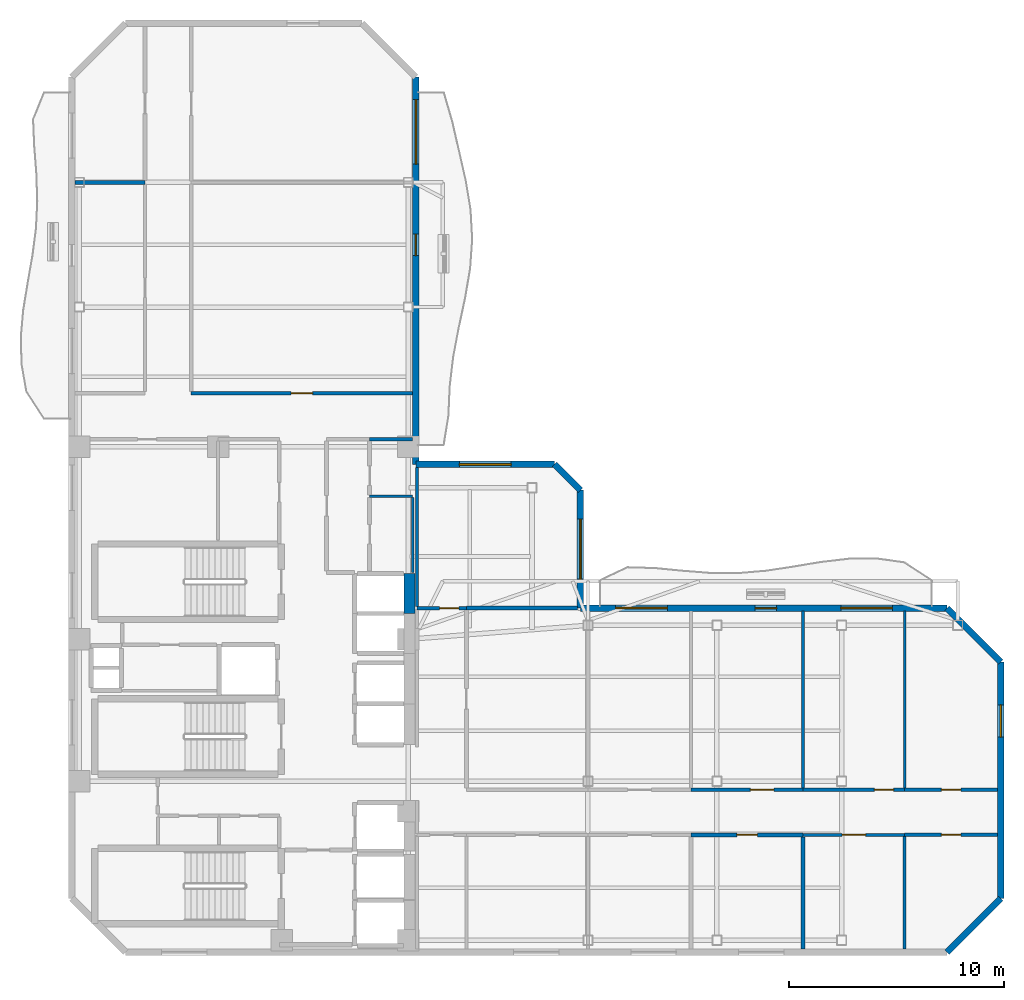
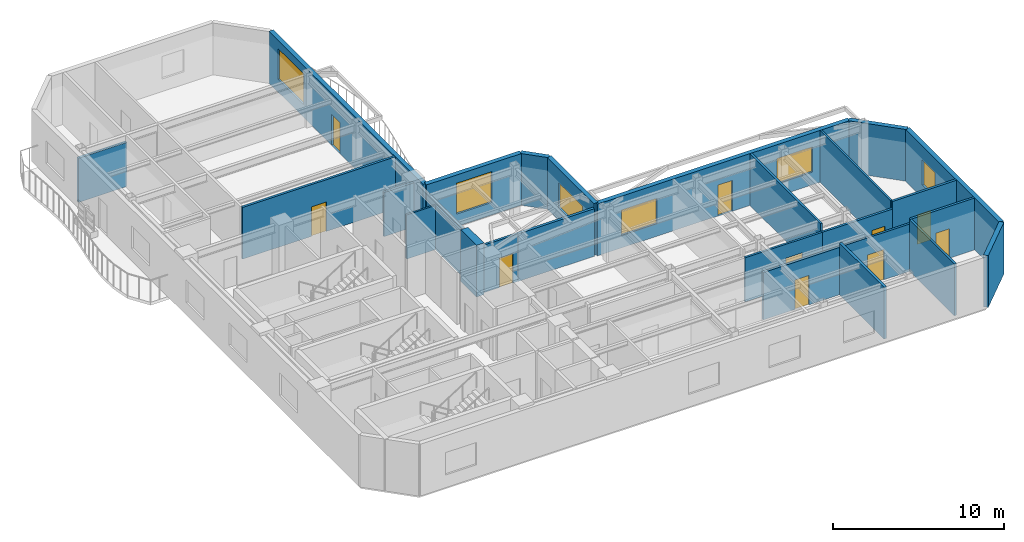
# One storey, part 5 of 9: 27 walls, 10 doors, 6 windows, 16 openings.
"""IFC4 building model written with IfcOpenShell, lengths in metres."""

from ifc_helpers import new_model, si_unit, direction, frame, frame_2d, origin, place, context, subcontext, project, spatial, rectangle, extrude, material, layer, layer_set, type_object, element, fill, save


model = new_model("IFC4")

# Units and contexts
model_context = context("Model", 3, precision=1e-05, world=origin(), true_north=direction((0.0, 1.0)))
body_context = subcontext(model_context, "Body", "Model", "MODEL_VIEW")
ifc_project = project(units=[si_unit("LENGTHUNIT", "METRE"), si_unit("AREAUNIT", "SQUARE_METRE"), si_unit("VOLUMEUNIT", "CUBIC_METRE"), si_unit("PLANEANGLEUNIT", "RADIAN"), si_unit("MASSUNIT", "GRAM", prefix="KILO")], contexts=[model_context])

# Site, building, storey
site_placement = place(None, origin())
site = spatial("IfcSite", under=ifc_project, at=site_placement, CompositionType="ELEMENT")
building_placement = place(site_placement, origin())
building = spatial("IfcBuilding", under=site, at=building_placement, Name="Mawjaban Terraces University", CompositionType="ELEMENT")
storey_placement = place(building_placement, frame((0.0, 0.0, 210.89990234375)))
storey = spatial("IfcBuildingStorey", under=building, at=storey_placement, Name="L51", CompositionType="ELEMENT", Elevation=210.89990234375)

# Walls
ifc_material_1 = material(Name="Acoustic masonry blockwork", Category="masonry")
ifc_layer_1 = layer(ifc_material_1, 0.179931640625)
ifc_layer_set_1 = layer_set([ifc_layer_1], Name="Acoustic masonry blockwork")
wall_type_1 = type_object("IfcWallType", Name="AcousticStudioWall_180", PredefinedType="PARTITIONING", material=ifc_layer_set_1)
wall_1_placement = place(storey_placement, frame((25.39990234375, 35.800048828125, 0.0), z_axis=(0.0, 0.0, 1.0), x_axis=(-1.0, 0.0, 0.0)))
element("IfcWall", 1, at=wall_1_placement, inside=storey, type_object=wall_type_1, Name="L51 Departmental Office 12 Partition 4", PredefinedType="PARTITIONING", context=body_context, shape_type="SweptSolid", body=[
    extrude(rectangle(XDim=3.2548828125, YDim=0.179931640625, at=frame_2d((1.62744140625, 0.0))), origin(), (0.0, 0.0, 1.0), 3.14599609375),
])
wall_2_placement = place(storey_placement, frame((40.35009765625, 16.0, 0.0), z_axis=(0.0, 0.0, 1.0), x_axis=(1.0, 0.0, 0.0)))
element("IfcWall", 2, at=wall_2_placement, inside=storey, type_object=wall_type_1, Name="L51 Terrace Collaborative Study Room Partition 20", PredefinedType="PARTITIONING", context=body_context, shape_type="SweptSolid", body=[
    extrude(rectangle(XDim=5.15478515625, YDim=0.179931640625, at=frame_2d((2.577392578125, 0.0))), origin(), (0.0, 0.0, 1.0), 3.39013671875),
])

# Wall, opening, door
wall_3_placement = place(storey_placement, frame((50.7900390625, 5.449951171875, 0.0), z_axis=(0.0, 0.0, 1.0), x_axis=(1.0, 0.0, 0.0)))
wall_3 = element("IfcWall", 3, at=wall_3_placement, inside=storey, type_object=wall_type_1, Name="L51 South Shifted Academic Corridor Partition 23", PredefinedType="PARTITIONING", context=body_context, shape_type="SweptSolid", body=[
    extrude(rectangle(XDim=5.219970703125, YDim=0.179931640625, at=frame_2d((2.60986328125, 0.0))), origin(), (0.0, 0.0, 1.0), 3.3720703125),
])
opening_1_placement = place(wall_3_placement, frame((2.135009765625, 0.0, 0.0)))
opening_1 = element("IfcOpeningElement", 4, at=opening_1_placement, cuts=wall_3, Name="Opening ID-095", PredefinedType="OPENING", context=body_context, shape_type="SweptSolid", body=[
    extrude(rectangle(XDim=0.949951171875, YDim=2.10009765625, at=frame_2d((0.47509765625, 1.050048828125))), frame((0.0, 0.099853515625, 0.0), z_axis=(0.0, -1.0, 0.0), x_axis=(1.0, 0.0, 0.0)), (0.0, 0.0, 1.0), 0.199951171875),
])
ifc_material_2 = material(Name="Powder-coated steel frame and solid acoustic timber leaf", Category="steel")
door_type_1 = type_object("IfcDoorType", Name="StudioDoor_950x2100", OperationType="NOTDEFINED", PredefinedType="DOOR", material=ifc_material_2)
door_1_placement = place(opening_1_placement, origin())
door_1 = element("IfcDoor", 5, at=door_1_placement, inside=storey, type_object=door_type_1, Name="L51 Design Studio 6 Door", OperationType="SINGLE_SWING_RIGHT", OverallHeight=2.10009765625, OverallWidth=0.949951171875, PredefinedType="DOOR", context=body_context, shape_type="SweptSolid", body=[
    extrude(rectangle(XDim=0.949951171875, YDim=2.10009765625, at=frame_2d((0.47509765625, 1.050048828125))), frame((0.0, 0.02490234375, 0.0), z_axis=(0.0, -1.0, 0.0), x_axis=(1.0, 0.0, 0.0)), (0.0, 0.0, 1.0), 0.050048828125),
])
fill(opening_1, door_1)

# Walls
wall_4_placement = place(storey_placement, frame((56.010009765625, 0.14501953125, 0.0), z_axis=(0.0, 0.0, 1.0), x_axis=(0.0, 1.0, 0.0)))
element("IfcWall", 6, at=wall_4_placement, inside=storey, type_object=wall_type_1, Name="L51 Design Studio 6 Partition 55", PredefinedType="PARTITIONING", context=body_context, shape_type="SweptSolid", body=[
    extrude(rectangle(XDim=5.219970703125, YDim=0.179931640625, at=frame_2d((2.60986328125, 0.0))), origin(), (0.0, 0.0, 1.0), 3.690185546875),
])
ifc_material_3 = material(Name="Concrete C60/75", Category="concrete")
ifc_layer_2 = layer(ifc_material_3, 0.5)
ifc_layer_set_2 = layer_set([ifc_layer_2], Name="Concrete C60/75")
wall_type_2 = type_object("IfcWallType", Name="CoreShearWall_500", PredefinedType="SHEAR", material=ifc_layer_set_2)
wall_5_placement = place(storey_placement, frame((37.699951171875, 15.75, 0.0), z_axis=(0.0, 0.0, 1.0), x_axis=(0.0, 1.0, 0.0)))
element("IfcWall", 7, at=wall_5_placement, inside=storey, type_object=wall_type_2, Name="L51 Lift OL-2 Hoistway Wall East", PredefinedType="SHEAR", context=body_context, shape_type="SweptSolid", body=[
    extrude(rectangle(XDim=1.85009765625, YDim=0.5, at=frame_2d((0.925048828125, 0.0))), origin(), (0.0, 0.0, 1.0), 3.690185546875),
])
ifc_material_4 = material(Name="Fire-rated gypsum board on steel stud", Category="steel")
ifc_layer_3 = layer(ifc_material_4, 0.159912109375)
ifc_layer_set_3 = layer_set([ifc_layer_3], Name="Fire-rated gypsum board on steel stud")
wall_type_3 = type_object("IfcWallType", Name="CorridorPartition_160", PredefinedType="PARTITIONING", material=ifc_layer_set_3)
wall_6_placement = place(storey_placement, frame((37.85009765625, 23.85009765625, 0.0), z_axis=(0.0, 0.0, 1.0), x_axis=(-1.0, 0.0, 0.0)))
element("IfcWall", 8, at=wall_6_placement, inside=storey, type_object=wall_type_3, Name="L51 Graduate Quiet Study Alcove Partition 14", PredefinedType="PARTITIONING", context=body_context, shape_type="SweptSolid", body=[
    extrude(rectangle(XDim=2.0, YDim=0.159912109375, at=frame_2d((1.0, 0.0))), origin(), (0.0, 0.0, 1.0), 3.14599609375),
])

# Wall, opening, door
wall_7_placement = place(storey_placement, frame((37.85009765625, 26.0, 0.0), z_axis=(0.0, 0.0, 1.0), x_axis=(-1.0, 0.0, 0.0)))
wall_7 = element("IfcWall", 9, at=wall_7_placement, inside=storey, type_object=wall_type_3, Name="L51 North Core Cross-Corridor Partition 15", PredefinedType="PARTITIONING", context=body_context, shape_type="SweptSolid", body=[
    extrude(rectangle(XDim=10.300048828125, YDim=0.159912109375, at=frame_2d((5.14990234375, 0.0))), origin(), (0.0, 0.0, 1.0), 3.690185546875),
])
opening_2_placement = place(wall_7_placement, frame((4.64990234375, 0.0, 0.0)))
opening_2 = element("IfcOpeningElement", 10, at=opening_2_placement, cuts=wall_7, Name="Opening ID-100", PredefinedType="OPENING", context=body_context, shape_type="SweptSolid", body=[
    extrude(rectangle(XDim=1.0, YDim=2.10009765625, at=frame_2d((0.5, 1.050048828125))), frame((0.0, 0.08984375, 0.0), z_axis=(0.0, -1.0, 0.0), x_axis=(1.0, 0.0, 0.0)), (0.0, 0.0, 1.0), 0.179931640625),
])
door_type_2 = type_object("IfcDoorType", Name="ClassroomDoor_1000x2100", OperationType="NOTDEFINED", PredefinedType="DOOR", material=ifc_material_2)
door_2_placement = place(opening_2_placement, origin())
door_2 = element("IfcDoor", 11, at=door_2_placement, inside=storey, type_object=door_type_2, Name="L51 Classroom 13 Door", OperationType="SINGLE_SWING_LEFT", OverallHeight=2.10009765625, OverallWidth=1.0, PredefinedType="DOOR", context=body_context, shape_type="SweptSolid", body=[
    extrude(rectangle(XDim=1.0, YDim=2.10009765625, at=frame_2d((0.5, 1.050048828125))), frame((0.0, 0.02490234375, 0.0), z_axis=(0.0, -1.0, 0.0), x_axis=(1.0, 0.0, 0.0)), (0.0, 0.0, 1.0), 0.050048828125),
])
fill(opening_2, door_2)

wall_8_placement = place(storey_placement, frame((40.35009765625, 16.0, 0.0), z_axis=(0.0, 0.0, 1.0), x_axis=(-1.0, 0.0, 0.0)))
wall_8 = element("IfcWall", 12, at=wall_8_placement, inside=storey, type_object=wall_type_3, Name="L51 South Spine Spur Link Partition 19", PredefinedType="PARTITIONING", context=body_context, shape_type="SweptSolid", body=[
    extrude(rectangle(XDim=2.300048828125, YDim=0.159912109375, at=frame_2d((1.14990234375, 0.0))), origin(), (0.0, 0.0, 1.0), 3.39013671875),
])
opening_3_placement = place(wall_8_placement, frame((0.35009765625, 0.0, 0.0)))
opening_3 = element("IfcOpeningElement", 13, at=opening_3_placement, cuts=wall_8, Name="Opening ID-090", PredefinedType="OPENING", context=body_context, shape_type="SweptSolid", body=[
    extrude(rectangle(XDim=0.89990234375, YDim=2.10009765625, at=frame_2d((0.449951171875, 1.050048828125))), frame((0.0, 0.08984375, 0.0), z_axis=(0.0, -1.0, 0.0), x_axis=(1.0, 0.0, 0.0)), (0.0, 0.0, 1.0), 0.179931640625),
])
door_type_3 = type_object("IfcDoorType", Name="OfficeDoor_900x2100", OperationType="NOTDEFINED", PredefinedType="DOOR", material=ifc_material_2)
door_3_placement = place(opening_3_placement, origin())
door_3 = element("IfcDoor", 14, at=door_3_placement, inside=storey, type_object=door_type_3, Name="L51 Terrace Collaborative Study Room Door", OperationType="SINGLE_SWING_RIGHT", OverallHeight=2.10009765625, OverallWidth=0.89990234375, PredefinedType="DOOR", context=body_context, shape_type="SweptSolid", body=[
    extrude(rectangle(XDim=0.89990234375, YDim=2.10009765625, at=frame_2d((0.449951171875, 1.050048828125))), frame((0.0, 0.02490234375, 0.0), z_axis=(0.0, -1.0, 0.0), x_axis=(1.0, 0.0, 0.0)), (0.0, 0.0, 1.0), 0.050048828125),
])
fill(opening_3, door_3)

wall_9_placement = place(storey_placement, frame((60.72998046875, 5.449951171875, 0.0), z_axis=(0.0, 0.0, 1.0), x_axis=(1.0, 0.0, 0.0)))
wall_9 = element("IfcWall", 15, at=wall_9_placement, inside=storey, type_object=wall_type_3, Name="L51 South Shifted Academic Corridor Partition 27", PredefinedType="PARTITIONING", context=body_context, shape_type="SweptSolid", body=[
    extrude(rectangle(XDim=4.324951171875, YDim=0.159912109375, at=frame_2d((2.16259765625, 0.0))), origin(), (0.0, 0.0, 1.0), 3.690185546875),
])
opening_4_placement = place(wall_9_placement, frame((1.712890625, 0.0, 0.0)))
opening_4 = element("IfcOpeningElement", 16, at=opening_4_placement, cuts=wall_9, Name="Opening ID-090", PredefinedType="OPENING", context=body_context, shape_type="SweptSolid", body=[
    extrude(rectangle(XDim=0.89990234375, YDim=2.10009765625, at=frame_2d((0.449951171875, 1.050048828125))), frame((0.0, 0.08984375, 0.0), z_axis=(0.0, -1.0, 0.0), x_axis=(1.0, 0.0, 0.0)), (0.0, 0.0, 1.0), 0.179931640625),
])
door_4_placement = place(opening_4_placement, origin())
door_4 = element("IfcDoor", 17, at=door_4_placement, inside=storey, type_object=door_type_3, Name="L51 Student Tea Pantry 10 Door", OperationType="SINGLE_SWING_RIGHT", OverallHeight=2.10009765625, OverallWidth=0.89990234375, PredefinedType="DOOR", context=body_context, shape_type="SweptSolid", body=[
    extrude(rectangle(XDim=0.89990234375, YDim=2.10009765625, at=frame_2d((0.449951171875, 1.050048828125))), frame((0.0, 0.02490234375, 0.0), z_axis=(0.0, -1.0, 0.0), x_axis=(1.0, 0.0, 0.0)), (0.0, 0.0, 1.0), 0.050048828125),
])
fill(opening_4, door_4)

wall_10_placement = place(storey_placement, frame((60.72998046875, 7.550048828125, 0.0), z_axis=(0.0, 0.0, 1.0), x_axis=(-1.0, 0.0, 0.0)))
wall_10 = element("IfcWall", 18, at=wall_10_placement, inside=storey, type_object=wall_type_3, Name="L51 South Shifted Academic Corridor Partition 28", PredefinedType="PARTITIONING", context=body_context, shape_type="SweptSolid", body=[
    extrude(rectangle(XDim=4.719970703125, YDim=0.159912109375, at=frame_2d((2.35986328125, 0.0))), origin(), (0.0, 0.0, 1.0), 3.14599609375),
])
opening_5_placement = place(wall_10_placement, frame((0.510009765625, 0.0, 0.0)))
opening_5 = element("IfcOpeningElement", 19, at=opening_5_placement, cuts=wall_10, Name="Opening ID-090", PredefinedType="OPENING", context=body_context, shape_type="SweptSolid", body=[
    extrude(rectangle(XDim=0.89990234375, YDim=2.10009765625, at=frame_2d((0.449951171875, 1.050048828125))), frame((0.0, 0.08984375, 0.0), z_axis=(0.0, -1.0, 0.0), x_axis=(1.0, 0.0, 0.0)), (0.0, 0.0, 1.0), 0.179931640625),
])
door_5_placement = place(opening_5_placement, origin())
door_5 = element("IfcDoor", 20, at=door_5_placement, inside=storey, type_object=door_type_3, Name="L51 Student Tea Pantry 9 Door", OperationType="SINGLE_SWING_LEFT", OverallHeight=2.10009765625, OverallWidth=0.89990234375, PredefinedType="DOOR", context=body_context, shape_type="SweptSolid", body=[
    extrude(rectangle(XDim=0.89990234375, YDim=2.10009765625, at=frame_2d((0.449951171875, 1.050048828125))), frame((0.0, 0.02490234375, 0.0), z_axis=(0.0, -1.0, 0.0), x_axis=(1.0, 0.0, 0.0)), (0.0, 0.0, 1.0), 0.050048828125),
])
fill(opening_5, door_5)

wall_11_placement = place(storey_placement, frame((65.054931640625, 7.550048828125, 0.0), z_axis=(0.0, 0.0, 1.0), x_axis=(-1.0, 0.0, 0.0)))
wall_11 = element("IfcWall", 21, at=wall_11_placement, inside=storey, type_object=wall_type_3, Name="L51 South Shifted Academic Corridor Partition 29", PredefinedType="PARTITIONING", context=body_context, shape_type="SweptSolid", body=[
    extrude(rectangle(XDim=4.324951171875, YDim=0.159912109375, at=frame_2d((2.16259765625, 0.0))), origin(), (0.0, 0.0, 1.0), 3.690185546875),
])
opening_6_placement = place(wall_11_placement, frame((1.712890625, 0.0, 0.0)))
opening_6 = element("IfcOpeningElement", 22, at=opening_6_placement, cuts=wall_11, Name="Opening ID-090", PredefinedType="OPENING", context=body_context, shape_type="SweptSolid", body=[
    extrude(rectangle(XDim=0.89990234375, YDim=2.10009765625, at=frame_2d((0.449951171875, 1.050048828125))), frame((0.0, 0.08984375, 0.0), z_axis=(0.0, -1.0, 0.0), x_axis=(1.0, 0.0, 0.0)), (0.0, 0.0, 1.0), 0.179931640625),
])
door_6_placement = place(opening_6_placement, origin())
door_6 = element("IfcDoor", 23, at=door_6_placement, inside=storey, type_object=door_type_3, Name="L51 Faculty Office 11 Door", OperationType="SINGLE_SWING_LEFT", OverallHeight=2.10009765625, OverallWidth=0.89990234375, PredefinedType="DOOR", context=body_context, shape_type="SweptSolid", body=[
    extrude(rectangle(XDim=0.89990234375, YDim=2.10009765625, at=frame_2d((0.449951171875, 1.050048828125))), frame((0.0, 0.02490234375, 0.0), z_axis=(0.0, -1.0, 0.0), x_axis=(1.0, 0.0, 0.0)), (0.0, 0.0, 1.0), 0.050048828125),
])
fill(opening_6, door_6)

# Wall
ifc_material_5 = material(Name="Insulated terracotta rainscreen on concrete backup C40/50", Category="masonry")
ifc_layer_4 = layer(ifc_material_5, 0.300048828125)
ifc_layer_set_4 = layer_set([ifc_layer_4], Name="Insulated terracotta rainscreen on concrete backup C40/50")
wall_type_4 = type_object("IfcWallType", Name="ExtTerracottaWall_300", PredefinedType="SOLIDWALL", material=ifc_layer_set_4)
wall_12_placement = place(storey_placement, frame((62.699951171875, 0.0, 0.0), z_axis=(0.0, 0.0, 1.0), x_axis=(0.707106781187, 0.707106781187, 0.0)))
element("IfcWall", 24, at=wall_12_placement, inside=storey, type_object=wall_type_4, Name="L51 Exterior Terracotta Wall 2", PredefinedType="SOLIDWALL", context=body_context, shape_type="SweptSolid", body=[
    extrude(rectangle(XDim=3.53564453125, YDim=0.300048828125, at=frame_2d((1.767822265625, 0.0))), origin(), (0.0, 0.0, 1.0), 3.690185546875),
])

# Wall, opening, window
wall_13_placement = place(storey_placement, frame((65.199951171875, 2.5, 0.0), z_axis=(0.0, 0.0, 1.0), x_axis=(0.0, 1.0, 0.0)))
wall_13 = element("IfcWall", 25, at=wall_13_placement, inside=storey, type_object=wall_type_4, Name="L51 Exterior Terracotta Wall 3", PredefinedType="SOLIDWALL", context=body_context, shape_type="SweptSolid", body=[
    extrude(rectangle(XDim=11.0, YDim=0.300048828125, at=frame_2d((5.5, 0.0))), origin(), (0.0, 0.0, 1.0), 3.690185546875),
])
opening_7_placement = place(wall_13_placement, frame((7.5, 0.0, 0.89990234375)))
opening_7 = element("IfcOpeningElement", 26, at=opening_7_placement, cuts=wall_13, Name="Opening W-06", PredefinedType="OPENING", context=body_context, shape_type="SweptSolid", body=[
    extrude(rectangle(XDim=1.5, YDim=1.800048828125, at=frame_2d((0.75, 0.89990234375))), frame((0.0, 0.159912109375, 0.0), z_axis=(0.0, -1.0, 0.0), x_axis=(1.0, 0.0, 0.0)), (0.0, 0.0, 1.0), 0.320068359375),
])
ifc_material_6 = material(Name="Low-E solar-control double glazing in thermally broken aluminium frame", Category="aluminium")
window_type_1 = type_object("IfcWindowType", Name="Win_1500x1800", PartitioningType="SINGLE_PANEL", PredefinedType="WINDOW", material=ifc_material_6)
window_1_placement = place(opening_7_placement, origin())
window_1 = element("IfcWindow", 27, at=window_1_placement, inside=storey, type_object=window_type_1, Name="L51 Facade Window 3.2", OverallHeight=1.800048828125, OverallWidth=1.5, PartitioningType="SINGLE_PANEL", PredefinedType="WINDOW", context=body_context, shape_type="SweptSolid", body=[
    extrude(rectangle(XDim=1.5, YDim=1.800048828125, at=frame_2d((0.75, 0.89990234375))), frame((0.0, 0.030029296875, 0.0), z_axis=(0.0, -1.0, 0.0), x_axis=(1.0, 0.0, 0.0)), (0.0, 0.0, 1.0), 0.06005859375),
])
fill(opening_7, window_1)

# Wall
wall_14_placement = place(storey_placement, frame((65.199951171875, 13.5, 0.0), z_axis=(0.0, 0.0, 1.0), x_axis=(-0.707106781187, 0.707106781187, 0.0)))
element("IfcWall", 28, at=wall_14_placement, inside=storey, type_object=wall_type_4, Name="L51 Exterior Terracotta Wall 4", PredefinedType="SOLIDWALL", context=body_context, shape_type="SweptSolid", body=[
    extrude(rectangle(XDim=3.53564453125, YDim=0.300048828125, at=frame_2d((1.767822265625, 0.0))), origin(), (0.0, 0.0, 1.0), 3.690185546875),
])

# Wall, openings, door, windows
wall_15_placement = place(storey_placement, frame((62.699951171875, 16.0, 0.0), z_axis=(0.0, 0.0, 1.0), x_axis=(-1.0, 0.0, 0.0)))
wall_15 = element("IfcWall", 29, at=wall_15_placement, inside=storey, type_object=wall_type_4, Name="L51 Exterior Terracotta Wall 5", PredefinedType="SOLIDWALL", context=body_context, shape_type="SweptSolid", body=[
    extrude(rectangle(XDim=17.050048828125, YDim=0.300048828125, at=frame_2d((8.52490234375, 0.0))), origin(), (0.0, 0.0, 1.0), 3.690185546875),
])
opening_8_placement = place(wall_15_placement, frame((7.925048828125, 0.0, 0.0)))
opening_8 = element("IfcOpeningElement", 30, at=opening_8_placement, cuts=wall_15, Name="Opening BD-100", PredefinedType="OPENING", context=body_context, shape_type="SweptSolid", body=[
    extrude(rectangle(XDim=1.0, YDim=2.199951171875, at=frame_2d((0.5, 1.10009765625))), frame((0.0, 0.159912109375, 0.0), z_axis=(0.0, -1.0, 0.0), x_axis=(1.0, 0.0, 0.0)), (0.0, 0.0, 1.0), 0.320068359375),
])
opening_9_placement = place(wall_15_placement, frame((2.5419921875, 0.0, 0.89990234375)))
opening_9 = element("IfcOpeningElement", 31, at=opening_9_placement, cuts=wall_15, Name="Opening W-08", PredefinedType="OPENING", context=body_context, shape_type="SweptSolid", body=[
    extrude(rectangle(XDim=2.39990234375, YDim=1.800048828125, at=frame_2d((1.199951171875, 0.89990234375))), frame((0.0, 0.159912109375, 0.0), z_axis=(0.0, -1.0, 0.0), x_axis=(1.0, 0.0, 0.0)), (0.0, 0.0, 1.0), 0.320068359375),
])
opening_10_placement = place(wall_15_placement, frame((13.008056640625, 0.0, 0.89990234375)))
opening_10 = element("IfcOpeningElement", 32, at=opening_10_placement, cuts=wall_15, Name="Opening W-08", PredefinedType="OPENING", context=body_context, shape_type="SweptSolid", body=[
    extrude(rectangle(XDim=2.39990234375, YDim=1.800048828125, at=frame_2d((1.199951171875, 0.89990234375))), frame((0.0, 0.159912109375, 0.0), z_axis=(0.0, -1.0, 0.0), x_axis=(1.0, 0.0, 0.0)), (0.0, 0.0, 1.0), 0.320068359375),
])
ifc_material_7 = material(Name="Thermally broken anodised aluminium and laminated safety glass", Category="aluminium")
door_type_4 = type_object("IfcDoorType", Name="BalconyGlazedDoor_1000x2200", OperationType="NOTDEFINED", PredefinedType="DOOR", material=ifc_material_7)
door_7_placement = place(opening_8_placement, origin())
door_7 = element("IfcDoor", 33, at=door_7_placement, inside=storey, type_object=door_type_4, Name="L51 Balcony Access Door inner_north", OperationType="SINGLE_SWING_RIGHT", OverallHeight=2.199951171875, OverallWidth=1.0, PredefinedType="DOOR", context=body_context, shape_type="SweptSolid", body=[
    extrude(rectangle(XDim=1.0, YDim=2.199951171875, at=frame_2d((0.5, 1.10009765625))), frame((0.0, 0.02490234375, 0.0), z_axis=(0.0, -1.0, 0.0), x_axis=(1.0, 0.0, 0.0)), (0.0, 0.0, 1.0), 0.050048828125),
])
fill(opening_8, door_7)
window_type_2 = type_object("IfcWindowType", Name="Win_2400x1800", PartitioningType="SINGLE_PANEL", PredefinedType="WINDOW", material=ifc_material_6)
window_2_placement = place(opening_9_placement, origin())
window_2 = element("IfcWindow", 34, at=window_2_placement, inside=storey, type_object=window_type_2, Name="L51 Facade Window 5.1", OverallHeight=1.800048828125, OverallWidth=2.39990234375, PartitioningType="SINGLE_PANEL", PredefinedType="WINDOW", context=body_context, shape_type="SweptSolid", body=[
    extrude(rectangle(XDim=2.39990234375, YDim=1.800048828125, at=frame_2d((1.199951171875, 0.89990234375))), frame((0.0, 0.030029296875, 0.0), z_axis=(0.0, -1.0, 0.0), x_axis=(1.0, 0.0, 0.0)), (0.0, 0.0, 1.0), 0.06005859375),
])
fill(opening_9, window_2)
window_3_placement = place(opening_10_placement, origin())
window_3 = element("IfcWindow", 35, at=window_3_placement, inside=storey, type_object=window_type_2, Name="L51 Facade Window 5.3", OverallHeight=1.800048828125, OverallWidth=2.39990234375, PartitioningType="SINGLE_PANEL", PredefinedType="WINDOW", context=body_context, shape_type="SweptSolid", body=[
    extrude(rectangle(XDim=2.39990234375, YDim=1.800048828125, at=frame_2d((1.199951171875, 0.89990234375))), frame((0.0, 0.030029296875, 0.0), z_axis=(0.0, -1.0, 0.0), x_axis=(1.0, 0.0, 0.0)), (0.0, 0.0, 1.0), 0.06005859375),
])
fill(opening_10, window_3)

# Wall, opening, window
wall_16_placement = place(storey_placement, frame((45.64990234375, 16.0, 0.0), z_axis=(0.0, 0.0, 1.0), x_axis=(0.0, 1.0, 0.0)))
wall_16 = element("IfcWall", 36, at=wall_16_placement, inside=storey, type_object=wall_type_4, Name="L51 Exterior Terracotta Wall 6", PredefinedType="SOLIDWALL", context=body_context, shape_type="SweptSolid", body=[
    extrude(rectangle(XDim=5.48291015625, YDim=0.300048828125, at=frame_2d((2.741455078125, 0.0))), origin(), (0.0, 0.0, 1.0), 3.690185546875),
])
opening_11_placement = place(wall_16_placement, frame((1.342041015625, 0.0, 0.89990234375)))
opening_11 = element("IfcOpeningElement", 37, at=opening_11_placement, cuts=wall_16, Name="Opening W-09", PredefinedType="OPENING", context=body_context, shape_type="SweptSolid", body=[
    extrude(rectangle(XDim=2.800048828125, YDim=1.800048828125, at=frame_2d((1.39990234375, 0.89990234375))), frame((0.0, 0.159912109375, 0.0), z_axis=(0.0, -1.0, 0.0), x_axis=(1.0, 0.0, 0.0)), (0.0, 0.0, 1.0), 0.320068359375),
])
window_type_3 = type_object("IfcWindowType", Name="Win_2800x1800", PartitioningType="SINGLE_PANEL", PredefinedType="WINDOW", material=ifc_material_6)
window_4_placement = place(opening_11_placement, origin())
window_4 = element("IfcWindow", 38, at=window_4_placement, inside=storey, type_object=window_type_3, Name="L51 Facade Window 6.1", OverallHeight=1.800048828125, OverallWidth=2.800048828125, PartitioningType="SINGLE_PANEL", PredefinedType="WINDOW", context=body_context, shape_type="SweptSolid", body=[
    extrude(rectangle(XDim=2.800048828125, YDim=1.800048828125, at=frame_2d((1.39990234375, 0.89990234375))), frame((0.0, 0.030029296875, 0.0), z_axis=(0.0, -1.0, 0.0), x_axis=(1.0, 0.0, 0.0)), (0.0, 0.0, 1.0), 0.06005859375),
])
fill(opening_11, window_4)

# Wall
wall_17_placement = place(storey_placement, frame((45.64990234375, 21.48291015625, 0.0), z_axis=(0.0, 0.0, 1.0), x_axis=(-0.707034851297, 0.707178703759, 0.0)))
element("IfcWall", 39, at=wall_17_placement, inside=storey, type_object=wall_type_4, Name="L51 Exterior Terracotta Wall 7", PredefinedType="SOLIDWALL", context=body_context, shape_type="SweptSolid", body=[
    extrude(rectangle(XDim=1.697265625, YDim=0.300048828125, at=frame_2d((0.8486328125, 0.0))), origin(), (0.0, 0.0, 1.0), 3.690185546875),
])

# Wall, opening, window
wall_18_placement = place(storey_placement, frame((44.449951171875, 22.68310546875, 0.0), z_axis=(0.0, 0.0, 1.0), x_axis=(-1.0, 0.0, 0.0)))
wall_18 = element("IfcWall", 40, at=wall_18_placement, inside=storey, type_object=wall_type_4, Name="L51 Exterior Terracotta Wall 8", PredefinedType="SOLIDWALL", context=body_context, shape_type="SweptSolid", body=[
    extrude(rectangle(XDim=6.449951171875, YDim=0.300048828125, at=frame_2d((3.22509765625, 0.0))), origin(), (0.0, 0.0, 1.0), 3.690185546875),
])
opening_12_placement = place(wall_18_placement, frame((2.02490234375, 0.0, 0.89990234375)))
opening_12 = element("IfcOpeningElement", 41, at=opening_12_placement, cuts=wall_18, Name="Opening W-11", PredefinedType="OPENING", context=body_context, shape_type="SweptSolid", body=[
    extrude(rectangle(XDim=2.39990234375, YDim=2.199951171875, at=frame_2d((1.199951171875, 1.10009765625))), frame((0.0, 0.159912109375, 0.0), z_axis=(0.0, -1.0, 0.0), x_axis=(1.0, 0.0, 0.0)), (0.0, 0.0, 1.0), 0.320068359375),
])
window_type_4 = type_object("IfcWindowType", Name="Win_2400x2200", PartitioningType="SINGLE_PANEL", PredefinedType="WINDOW", material=ifc_material_6)
window_5_placement = place(opening_12_placement, origin())
window_5 = element("IfcWindow", 42, at=window_5_placement, inside=storey, type_object=window_type_4, Name="L51 Facade Window 8.1", OverallHeight=2.199951171875, OverallWidth=2.39990234375, PartitioningType="SINGLE_PANEL", PredefinedType="WINDOW", context=body_context, shape_type="SweptSolid", body=[
    extrude(rectangle(XDim=2.39990234375, YDim=2.199951171875, at=frame_2d((1.199951171875, 1.10009765625))), frame((0.0, 0.030029296875, 0.0), z_axis=(0.0, -1.0, 0.0), x_axis=(1.0, 0.0, 0.0)), (0.0, 0.0, 1.0), 0.06005859375),
])
fill(opening_12, window_5)

# Wall, openings, door, window
wall_19_placement = place(storey_placement, frame((38.0, 22.68310546875, 0.0), z_axis=(0.0, 0.0, 1.0), x_axis=(0.0, 1.0, 0.0)))
wall_19 = element("IfcWall", 43, at=wall_19_placement, inside=storey, type_object=wall_type_4, Name="L51 Exterior Terracotta Wall 9", PredefinedType="SOLIDWALL", context=body_context, shape_type="SweptSolid", body=[
    extrude(rectangle(XDim=18.016845703125, YDim=0.300048828125, at=frame_2d((9.00830078125, 0.0))), origin(), (0.0, 0.0, 1.0), 3.690185546875),
])
opening_13_placement = place(wall_19_placement, frame((9.7080078125, 0.0, 0.0)))
opening_13 = element("IfcOpeningElement", 44, at=opening_13_placement, cuts=wall_19, Name="Opening BD-100", PredefinedType="OPENING", context=body_context, shape_type="SweptSolid", body=[
    extrude(rectangle(XDim=1.0, YDim=2.199951171875, at=frame_2d((0.5, 1.10009765625))), frame((0.0, 0.159912109375, 0.0), z_axis=(0.0, -1.0, 0.0), x_axis=(1.0, 0.0, 0.0)), (0.0, 0.0, 1.0), 0.320068359375),
])
opening_14_placement = place(wall_19_placement, frame((13.964111328125, 0.0, 0.89990234375)))
opening_14 = element("IfcOpeningElement", 45, at=opening_14_placement, cuts=wall_19, Name="Opening W-12", PredefinedType="OPENING", context=body_context, shape_type="SweptSolid", body=[
    extrude(rectangle(XDim=3.0, YDim=2.199951171875, at=frame_2d((1.5, 1.10009765625))), frame((0.0, 0.159912109375, 0.0), z_axis=(0.0, -1.0, 0.0), x_axis=(1.0, 0.0, 0.0)), (0.0, 0.0, 1.0), 0.320068359375),
])
door_8_placement = place(opening_13_placement, origin())
door_8 = element("IfcDoor", 46, at=door_8_placement, inside=storey, type_object=door_type_4, Name="L51 Balcony Access Door inner_east", OperationType="SINGLE_SWING_RIGHT", OverallHeight=2.199951171875, OverallWidth=1.0, PredefinedType="DOOR", context=body_context, shape_type="SweptSolid", body=[
    extrude(rectangle(XDim=1.0, YDim=2.199951171875, at=frame_2d((0.5, 1.10009765625))), frame((0.0, 0.02490234375, 0.0), z_axis=(0.0, -1.0, 0.0), x_axis=(1.0, 0.0, 0.0)), (0.0, 0.0, 1.0), 0.050048828125),
])
fill(opening_13, door_8)
window_type_5 = type_object("IfcWindowType", Name="Win_3000x2200", PartitioningType="SINGLE_PANEL", PredefinedType="WINDOW", material=ifc_material_6)
window_6_placement = place(opening_14_placement, origin())
window_6 = element("IfcWindow", 47, at=window_6_placement, inside=storey, type_object=window_type_5, Name="L51 Facade Window 9.3", OverallHeight=2.199951171875, OverallWidth=3.0, PartitioningType="SINGLE_PANEL", PredefinedType="WINDOW", context=body_context, shape_type="SweptSolid", body=[
    extrude(rectangle(XDim=3.0, YDim=2.199951171875, at=frame_2d((1.5, 1.10009765625))), frame((0.0, 0.030029296875, 0.0), z_axis=(0.0, -1.0, 0.0), x_axis=(1.0, 0.0, 0.0)), (0.0, 0.0, 1.0), 0.06005859375),
])
fill(opening_14, window_6)

# Wall, opening, door
ifc_material_8 = material(Name="Moisture-resistant gypsum board on steel stud", Category="steel")
ifc_layer_5 = layer(ifc_material_8, 0.14501953125)
ifc_layer_set_5 = layer_set([ifc_layer_5], Name="Moisture-resistant gypsum board on steel stud")
wall_type_5 = type_object("IfcWallType", Name="LabPartition_145", PredefinedType="PARTITIONING", material=ifc_layer_set_5)
wall_20_placement = place(storey_placement, frame((56.010009765625, 5.449951171875, 0.0), z_axis=(0.0, 0.0, 1.0), x_axis=(1.0, 0.0, 0.0)))
wall_20 = element("IfcWall", 48, at=wall_20_placement, inside=storey, type_object=wall_type_5, Name="L51 South Shifted Academic Corridor Partition 25", PredefinedType="PARTITIONING", context=body_context, shape_type="SweptSolid", body=[
    extrude(rectangle(XDim=4.719970703125, YDim=0.14501953125, at=frame_2d((2.35986328125, 0.0))), origin(), (0.0, 0.0, 1.0), 3.3720703125),
])
opening_15_placement = place(wall_20_placement, frame((1.81005859375, 0.0, 0.0)))
opening_15 = element("IfcOpeningElement", 49, at=opening_15_placement, cuts=wall_20, Name="Opening ID-110", PredefinedType="OPENING", context=body_context, shape_type="SweptSolid", body=[
    extrude(rectangle(XDim=1.10009765625, YDim=2.14990234375, at=frame_2d((0.550048828125, 1.074951171875))), frame((0.0, 0.08251953125, 0.0), z_axis=(0.0, -1.0, 0.0), x_axis=(1.0, 0.0, 0.0)), (0.0, 0.0, 1.0), 0.1650390625),
])
door_type_5 = type_object("IfcDoorType", Name="LabDoor_1100x2150", OperationType="NOTDEFINED", PredefinedType="DOOR", material=ifc_material_2)
door_9_placement = place(opening_15_placement, origin())
door_9 = element("IfcDoor", 50, at=door_9_placement, inside=storey, type_object=door_type_5, Name="L51 Teaching Laboratory 8 Door", OperationType="SINGLE_SWING_RIGHT", OverallHeight=2.14990234375, OverallWidth=1.10009765625, PredefinedType="DOOR", context=body_context, shape_type="SweptSolid", body=[
    extrude(rectangle(XDim=1.10009765625, YDim=2.14990234375, at=frame_2d((0.550048828125, 1.074951171875))), frame((0.0, 0.02490234375, 0.0), z_axis=(0.0, -1.0, 0.0), x_axis=(1.0, 0.0, 0.0)), (0.0, 0.0, 1.0), 0.050048828125),
])
fill(opening_15, door_9)

wall_21_placement = place(storey_placement, frame((56.010009765625, 7.550048828125, 0.0), z_axis=(0.0, 0.0, 1.0), x_axis=(-1.0, 0.0, 0.0)))
wall_21 = element("IfcWall", 51, at=wall_21_placement, inside=storey, type_object=wall_type_5, Name="L51 South Shifted Academic Corridor Partition 26", PredefinedType="PARTITIONING", context=body_context, shape_type="SweptSolid", body=[
    extrude(rectangle(XDim=5.219970703125, YDim=0.14501953125, at=frame_2d((2.60986328125, 0.0))), origin(), (0.0, 0.0, 1.0), 3.14599609375),
])
opening_16_placement = place(wall_21_placement, frame((1.360107421875, 0.0, 0.0)))
opening_16 = element("IfcOpeningElement", 52, at=opening_16_placement, cuts=wall_21, Name="Opening ID-110", PredefinedType="OPENING", context=body_context, shape_type="SweptSolid", body=[
    extrude(rectangle(XDim=1.10009765625, YDim=2.14990234375, at=frame_2d((0.550048828125, 1.074951171875))), frame((0.0, 0.08251953125, 0.0), z_axis=(0.0, -1.0, 0.0), x_axis=(1.0, 0.0, 0.0)), (0.0, 0.0, 1.0), 0.1650390625),
])
door_10_placement = place(opening_16_placement, origin())
door_10 = element("IfcDoor", 53, at=door_10_placement, inside=storey, type_object=door_type_5, Name="L51 Computational Laboratory 7 Door", OperationType="SINGLE_SWING_LEFT", OverallHeight=2.14990234375, OverallWidth=1.10009765625, PredefinedType="DOOR", context=body_context, shape_type="SweptSolid", body=[
    extrude(rectangle(XDim=1.10009765625, YDim=2.14990234375, at=frame_2d((0.550048828125, 1.074951171875))), frame((0.0, 0.02490234375, 0.0), z_axis=(0.0, -1.0, 0.0), x_axis=(1.0, 0.0, 0.0)), (0.0, 0.0, 1.0), 0.050048828125),
])
fill(opening_16, door_10)

# Walls
wall_22_placement = place(storey_placement, frame((56.010009765625, 7.625, 0.0), z_axis=(0.0, 0.0, 1.0), x_axis=(0.0, 1.0, 0.0)))
element("IfcWall", 54, at=wall_22_placement, inside=storey, type_object=wall_type_5, Name="L51 Computational Laboratory 7 Partition 56", PredefinedType="PARTITIONING", context=body_context, shape_type="SweptSolid", body=[
    extrude(rectangle(XDim=8.22998046875, YDim=0.14501953125, at=frame_2d((4.114990234375, 0.0))), origin(), (0.0, 0.0, 1.0), 3.690185546875),
])
wall_23_placement = place(storey_placement, frame((60.72998046875, 0.14501953125, 0.0), z_axis=(0.0, 0.0, 1.0), x_axis=(0.0, 1.0, 0.0)))
element("IfcWall", 55, at=wall_23_placement, inside=storey, type_object=wall_type_5, Name="L51 Teaching Laboratory 8 Partition 57", PredefinedType="PARTITIONING", context=body_context, shape_type="SweptSolid", body=[
    extrude(rectangle(XDim=5.22998046875, YDim=0.14501953125, at=frame_2d((2.614990234375, 0.0))), origin(), (0.0, 0.0, 1.0), 3.690185546875),
])
ifc_material_9 = material(Name="Gypsum plasterboard on steel stud", Category="steel")
ifc_layer_6 = layer(ifc_material_9, 0.125)
ifc_layer_set_6 = layer_set([ifc_layer_6], Name="Gypsum plasterboard on steel stud")
wall_type_6 = type_object("IfcWallType", Name="OfficePartition_125", PredefinedType="PARTITIONING", material=ifc_layer_set_6)
wall_24_placement = place(storey_placement, frame((35.85009765625, 21.199951171875, 0.0), z_axis=(0.0, 0.0, 1.0), x_axis=(1.0, 0.0, 0.0)))
element("IfcWall", 56, at=wall_24_placement, inside=storey, type_object=wall_type_6, Name="L51 Graduate Quiet Study Alcove Partition 12", PredefinedType="PARTITIONING", context=body_context, shape_type="SweptSolid", body=[
    extrude(rectangle(XDim=2.0, YDim=0.125, at=frame_2d((1.0, 0.0))), origin(), (0.0, 0.0, 1.0), 3.14599609375),
])
wall_25_placement = place(storey_placement, frame((37.85009765625, 17.64990234375, 0.0), z_axis=(0.0, 0.0, 1.0), x_axis=(0.0, 1.0, 0.0)))
element("IfcWall", 57, at=wall_25_placement, inside=storey, type_object=wall_type_6, Name="L51 Research Instrument Store Partition 44", PredefinedType="PARTITIONING", context=body_context, shape_type="SweptSolid", body=[
    extrude(rectangle(XDim=3.4921875, YDim=0.125, at=frame_2d((1.74609375, 0.0))), origin(), (0.0, 0.0, 1.0), 3.14599609375),
])
wall_26_placement = place(storey_placement, frame((38.050048828125, 22.5380859375, 0.0), z_axis=(0.0, 0.0, 1.0), x_axis=(0.0, -1.0, 0.0)))
element("IfcWall", 58, at=wall_26_placement, inside=storey, type_object=wall_type_6, Name="L51 Terrace Collaborative Study Room Partition 48", PredefinedType="PARTITIONING", context=body_context, shape_type="SweptSolid", body=[
    extrude(rectangle(XDim=6.463134765625, YDim=0.125, at=frame_2d((3.2314453125, 0.0))), origin(), (0.0, 0.0, 1.0), 3.14599609375),
])
wall_27_placement = place(storey_placement, frame((60.72998046875, 7.625, 0.0), z_axis=(0.0, 0.0, 1.0), x_axis=(0.0, 1.0, 0.0)))
element("IfcWall", 59, at=wall_27_placement, inside=storey, type_object=wall_type_6, Name="L51 Student Tea Pantry 9 Partition 58", PredefinedType="PARTITIONING", context=body_context, shape_type="SweptSolid", body=[
    extrude(rectangle(XDim=8.22998046875, YDim=0.125, at=frame_2d((4.114990234375, 0.0))), origin(), (0.0, 0.0, 1.0), 3.690185546875),
])

save(model, "model.ifc")
